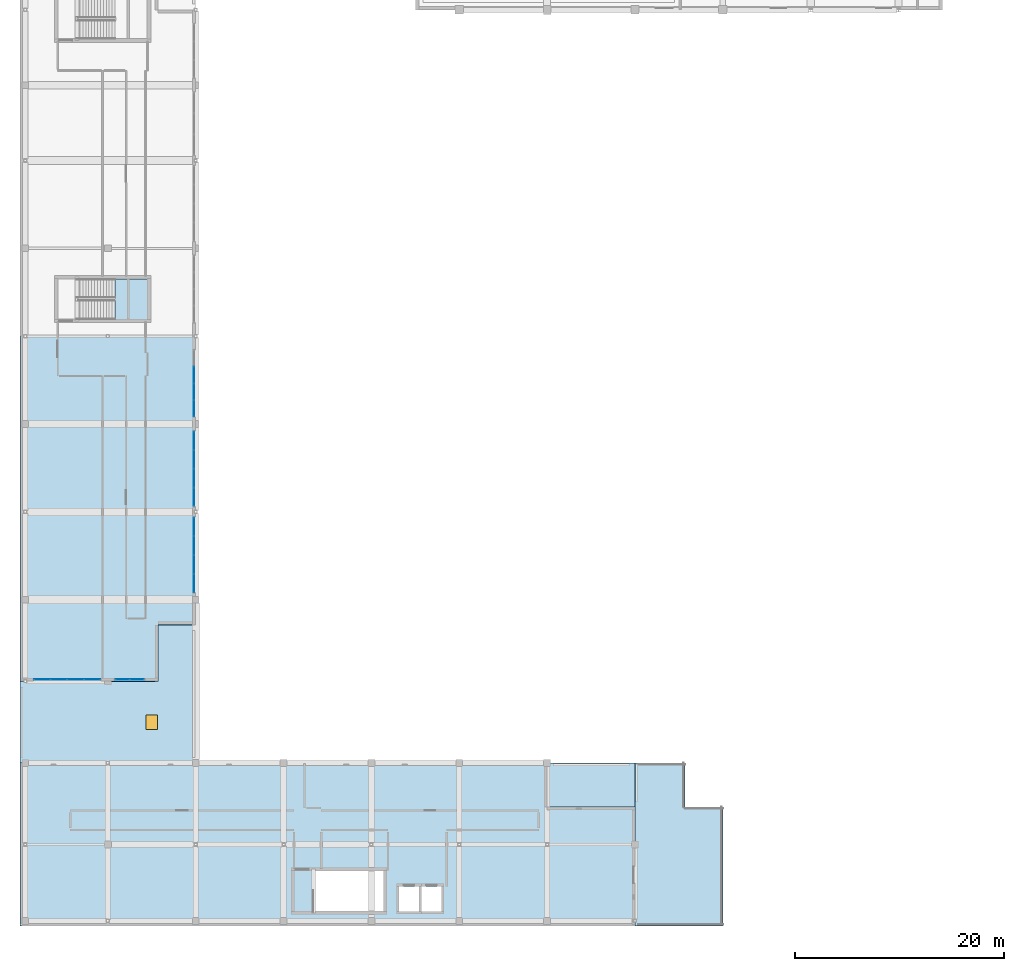
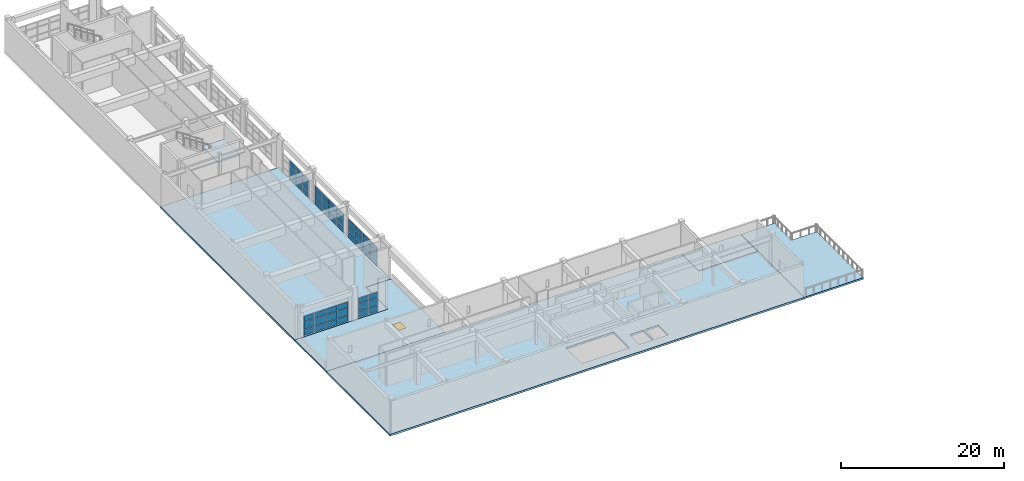
# One storey, part 55 of 78: 51 plates, 6 slabs, 1 window, 1 opening, 6 elements without a shape of their own.
"""IFC4 building model written with IfcOpenShell, lengths in metres."""

from ifc_helpers import new_model, si_unit, direction, frame, origin, origin_2d, place, context, subcontext, project, spatial, polyline, rectangle, outline, extrude, material, layer, layer_set, type_object, element, fill, aggregate, save


model = new_model("IFC4")

# Units and contexts
model_context = context("Model", 3, precision=1e-05, world=origin(), true_north=direction((0.0, 1.0)))
body_context = subcontext(model_context, "Body", "Model", "MODEL_VIEW")
ifc_project = project(units=[si_unit("LENGTHUNIT", "METRE"), si_unit("AREAUNIT", "SQUARE_METRE"), si_unit("VOLUMEUNIT", "CUBIC_METRE"), si_unit("PLANEANGLEUNIT", "RADIAN"), si_unit("MASSUNIT", "GRAM", prefix="KILO")], contexts=[model_context])

# Site, building, storey
site_placement = place(None, origin())
site = spatial("IfcSite", under=ifc_project, at=site_placement, CompositionType="ELEMENT")
building_placement = place(site_placement, origin())
building = spatial("IfcBuilding", under=site, at=building_placement, Name="Quendrovan Civic Courthouse", CompositionType="ELEMENT")
storey_placement = place(building_placement, frame((0.0, 0.0, 20.39990234375)))
storey = spatial("IfcBuildingStorey", under=building, at=storey_placement, Name="L05", CompositionType="ELEMENT", Elevation=20.39990234375)

# Curtain wall, plates
ifc_material_1 = material(Name="Bronze anodised aluminium and low-E glass", Category="aluminium")
ifc_layer_1 = layer(ifc_material_1, 0.179931640625, Name="Bronze anodised aluminium and low-E glass")
ifc_layer_set_1 = layer_set([ifc_layer_1], Name="Bronze anodised aluminium and low-E glass")
curtain_wall_type_1 = type_object("IfcCurtainWallType", Name="CW-U28x30", PredefinedType="USERDEFINED", material=ifc_layer_set_1)
curtain_wall_1_placement = place(storey_placement, origin())
curtain_wall_1 = element("IfcCurtainWall", 1, at=curtain_wall_1_placement, inside=storey, type_object=curtain_wall_type_1, Name="L05 Unitised Hurricane Curtain Wall CW-188", ObjectType="UNITISED CURTAIN WALL", PredefinedType="USERDEFINED")
ifc_material_2 = material(Name="Laminated hurricane-impact low-E glass", Category="glass")
ifc_layer_2 = layer(ifc_material_2, 0.028076171875, Name="Laminated hurricane-impact low-E glass")
ifc_layer_set_2 = layer_set([ifc_layer_2], Name="Laminated hurricane-impact low-E glass")
plate_type_1 = type_object("IfcPlateType", Name="CW-PNL-1", PredefinedType="CURTAIN_PANEL", material=ifc_layer_set_2)
plate_1_placement = place(storey_placement, frame((11.17626953125, 23.56494140625, 0.0703125), z_axis=(0.0, 0.0, 1.0), x_axis=(-1.0, 0.0, 0.0)))
plate_1 = element("IfcPlate", 2, at=plate_1_placement, type_object=plate_type_1, Name="CW-188 panel 1.1", PredefinedType="CURTAIN_PANEL", context=body_context, shape_type="SweptSolid", body=[
    extrude(rectangle(XDim=1.3076171875, YDim=0.028076171875, at=origin_2d()), origin(), (0.0, 0.0, 1.0), 0.844970703125),
])
plate_2_placement = place(storey_placement, frame((11.17626953125, 23.56494140625, 0.985107421875), z_axis=(0.0, 0.0, 1.0), x_axis=(-1.0, 0.0, 0.0)))
plate_2 = element("IfcPlate", 3, at=plate_2_placement, type_object=plate_type_1, Name="CW-188 panel 1.2", PredefinedType="CURTAIN_PANEL", context=body_context, shape_type="SweptSolid", body=[
    extrude(rectangle(XDim=1.3076171875, YDim=0.028076171875, at=origin_2d()), origin(), (0.0, 0.0, 1.0), 1.1298828125),
])
plate_3_placement = place(storey_placement, frame((11.17626953125, 23.56494140625, 2.18505859375), z_axis=(0.0, 0.0, 1.0), x_axis=(-1.0, 0.0, 0.0)))
plate_3 = element("IfcPlate", 4, at=plate_3_placement, type_object=plate_type_1, Name="CW-188 panel 1.3", PredefinedType="CURTAIN_PANEL", context=body_context, shape_type="SweptSolid", body=[
    extrude(rectangle(XDim=1.3076171875, YDim=0.028076171875, at=origin_2d()), origin(), (0.0, 0.0, 1.0), 0.77490234375),
])
plate_4_placement = place(storey_placement, frame((9.798828125, 23.56494140625, 0.0703125), z_axis=(0.0, 0.0, 1.0), x_axis=(-1.0, 0.0, 0.0)))
plate_4 = element("IfcPlate", 5, at=plate_4_placement, type_object=plate_type_1, Name="CW-188 panel 2.1", PredefinedType="CURTAIN_PANEL", context=body_context, shape_type="SweptSolid", body=[
    extrude(rectangle(XDim=1.3076171875, YDim=0.028076171875, at=origin_2d()), origin(), (0.0, 0.0, 1.0), 0.844970703125),
])
plate_5_placement = place(storey_placement, frame((9.798828125, 23.56494140625, 0.985107421875), z_axis=(0.0, 0.0, 1.0), x_axis=(-1.0, 0.0, 0.0)))
plate_5 = element("IfcPlate", 6, at=plate_5_placement, type_object=plate_type_1, Name="CW-188 panel 2.2", PredefinedType="CURTAIN_PANEL", context=body_context, shape_type="SweptSolid", body=[
    extrude(rectangle(XDim=1.3076171875, YDim=0.028076171875, at=origin_2d()), origin(), (0.0, 0.0, 1.0), 1.1298828125),
])
plate_6_placement = place(storey_placement, frame((9.798828125, 23.56494140625, 2.18505859375), z_axis=(0.0, 0.0, 1.0), x_axis=(-1.0, 0.0, 0.0)))
plate_6 = element("IfcPlate", 7, at=plate_6_placement, type_object=plate_type_1, Name="CW-188 panel 2.3", PredefinedType="CURTAIN_PANEL", context=body_context, shape_type="SweptSolid", body=[
    extrude(rectangle(XDim=1.3076171875, YDim=0.028076171875, at=origin_2d()), origin(), (0.0, 0.0, 1.0), 0.77490234375),
])
aggregate(curtain_wall_1, [plate_1, plate_2, plate_3, plate_4, plate_5, plate_6])

ifc_layer_3 = layer(ifc_material_1, 0.179931640625, Name="Bronze anodised aluminium and low-E glass")
ifc_layer_set_3 = layer_set([ifc_layer_3], Name="Bronze anodised aluminium and low-E glass")
curtain_wall_type_2 = type_object("IfcCurtainWallType", Name="CW-U64x30", PredefinedType="USERDEFINED", material=ifc_layer_set_3)
curtain_wall_2_placement = place(storey_placement, origin())
curtain_wall_2 = element("IfcCurtainWall", 8, at=curtain_wall_2_placement, inside=storey, type_object=curtain_wall_type_2, Name="L05 Unitised Hurricane Curtain Wall CW-185", ObjectType="UNITISED CURTAIN WALL", PredefinedType="USERDEFINED")
ifc_layer_4 = layer(ifc_material_2, 0.031982421875, Name="Laminated hurricane-impact low-E glass")
ifc_layer_set_4 = layer_set([ifc_layer_4], Name="Laminated hurricane-impact low-E glass")
plate_type_2 = type_object("IfcPlateType", Name="CW-PNL-2", PredefinedType="CURTAIN_PANEL", material=ifc_layer_set_4)
plate_7_placement = place(storey_placement, frame((16.635009765625, 52.690673828125, 0.065185546875), z_axis=(0.0, 0.0, 1.0), x_axis=(0.0, -1.0, 0.0)))
plate_7 = element("IfcPlate", 9, at=plate_7_placement, type_object=plate_type_2, Name="CW-185 panel 2.1", PredefinedType="CURTAIN_PANEL", context=body_context, shape_type="SweptSolid", body=[
    extrude(rectangle(XDim=1.541259765625, YDim=0.031982421875, at=origin_2d()), origin(), (0.0, 0.0, 1.0), 0.8525390625),
])
plate_8_placement = place(storey_placement, frame((16.635009765625, 52.690673828125, 0.982421875), z_axis=(0.0, 0.0, 1.0), x_axis=(0.0, -1.0, 0.0)))
plate_8 = element("IfcPlate", 10, at=plate_8_placement, type_object=plate_type_2, Name="CW-185 panel 2.2", PredefinedType="CURTAIN_PANEL", context=body_context, shape_type="SweptSolid", body=[
    extrude(rectangle(XDim=1.541259765625, YDim=0.031982421875, at=origin_2d()), origin(), (0.0, 0.0, 1.0), 1.135009765625),
])
plate_9_placement = place(storey_placement, frame((16.635009765625, 52.690673828125, 2.1826171875), z_axis=(0.0, 0.0, 1.0), x_axis=(0.0, -1.0, 0.0)))
plate_9 = element("IfcPlate", 11, at=plate_9_placement, type_object=plate_type_2, Name="CW-185 panel 2.3", PredefinedType="CURTAIN_PANEL", context=body_context, shape_type="SweptSolid", body=[
    extrude(rectangle(XDim=1.541259765625, YDim=0.031982421875, at=origin_2d()), origin(), (0.0, 0.0, 1.0), 0.742431640625),
])
plate_10_placement = place(storey_placement, frame((16.635009765625, 51.08447265625, 0.065185546875), z_axis=(0.0, 0.0, 1.0), x_axis=(0.0, -1.0, 0.0)))
plate_10 = element("IfcPlate", 12, at=plate_10_placement, type_object=plate_type_2, Name="CW-185 panel 3.1", PredefinedType="CURTAIN_PANEL", context=body_context, shape_type="SweptSolid", body=[
    extrude(rectangle(XDim=1.541259765625, YDim=0.031982421875, at=origin_2d()), origin(), (0.0, 0.0, 1.0), 0.8525390625),
])
plate_11_placement = place(storey_placement, frame((16.635009765625, 51.08447265625, 0.982421875), z_axis=(0.0, 0.0, 1.0), x_axis=(0.0, -1.0, 0.0)))
plate_11 = element("IfcPlate", 13, at=plate_11_placement, type_object=plate_type_2, Name="CW-185 panel 3.2", PredefinedType="CURTAIN_PANEL", context=body_context, shape_type="SweptSolid", body=[
    extrude(rectangle(XDim=1.541259765625, YDim=0.031982421875, at=origin_2d()), origin(), (0.0, 0.0, 1.0), 1.135009765625),
])
plate_12_placement = place(storey_placement, frame((16.635009765625, 51.08447265625, 2.1826171875), z_axis=(0.0, 0.0, 1.0), x_axis=(0.0, -1.0, 0.0)))
plate_12 = element("IfcPlate", 14, at=plate_12_placement, type_object=plate_type_2, Name="CW-185 panel 3.3", PredefinedType="CURTAIN_PANEL", context=body_context, shape_type="SweptSolid", body=[
    extrude(rectangle(XDim=1.541259765625, YDim=0.031982421875, at=origin_2d()), origin(), (0.0, 0.0, 1.0), 0.742431640625),
])
plate_13_placement = place(storey_placement, frame((16.635009765625, 49.494384765625, 0.065185546875), z_axis=(0.0, 0.0, 1.0), x_axis=(0.0, -1.0, 0.0)))
plate_13 = element("IfcPlate", 15, at=plate_13_placement, type_object=plate_type_2, Name="CW-185 panel 4.1", PredefinedType="CURTAIN_PANEL", context=body_context, shape_type="SweptSolid", body=[
    extrude(rectangle(XDim=1.5087890625, YDim=0.031982421875, at=origin_2d()), origin(), (0.0, 0.0, 1.0), 0.8525390625),
])
plate_14_placement = place(storey_placement, frame((16.635009765625, 49.494384765625, 0.982421875), z_axis=(0.0, 0.0, 1.0), x_axis=(0.0, -1.0, 0.0)))
plate_14 = element("IfcPlate", 16, at=plate_14_placement, type_object=plate_type_2, Name="CW-185 panel 4.2", PredefinedType="CURTAIN_PANEL", context=body_context, shape_type="SweptSolid", body=[
    extrude(rectangle(XDim=1.5087890625, YDim=0.031982421875, at=origin_2d()), origin(), (0.0, 0.0, 1.0), 1.135009765625),
])
plate_15_placement = place(storey_placement, frame((16.635009765625, 49.494384765625, 2.1826171875), z_axis=(0.0, 0.0, 1.0), x_axis=(0.0, -1.0, 0.0)))
plate_15 = element("IfcPlate", 17, at=plate_15_placement, type_object=plate_type_2, Name="CW-185 panel 4.3", PredefinedType="CURTAIN_PANEL", context=body_context, shape_type="SweptSolid", body=[
    extrude(rectangle(XDim=1.5087890625, YDim=0.031982421875, at=origin_2d()), origin(), (0.0, 0.0, 1.0), 0.742431640625),
])
aggregate(curtain_wall_2, [plate_7, plate_8, plate_9, plate_10, plate_11, plate_12, plate_13, plate_14, plate_15])

curtain_wall_3_placement = place(storey_placement, origin())
curtain_wall_3 = element("IfcCurtainWall", 18, at=curtain_wall_3_placement, inside=storey, type_object=curtain_wall_type_2, Name="L05 Unitised Hurricane Curtain Wall CW-189", ObjectType="UNITISED CURTAIN WALL", PredefinedType="USERDEFINED")
plate_16_placement = place(storey_placement, frame((6.905517578125, 23.56494140625, 0.065185546875), z_axis=(0.0, 0.0, 1.0), x_axis=(-1.0, 0.0, 0.0)))
plate_16 = element("IfcPlate", 19, at=plate_16_placement, type_object=plate_type_2, Name="CW-189 panel 1.1", PredefinedType="CURTAIN_PANEL", context=body_context, shape_type="SweptSolid", body=[
    extrude(rectangle(XDim=1.5087890625, YDim=0.031982421875, at=origin_2d()), origin(), (0.0, 0.0, 1.0), 0.8525390625),
])
plate_17_placement = place(storey_placement, frame((6.905517578125, 23.56494140625, 0.982421875), z_axis=(0.0, 0.0, 1.0), x_axis=(-1.0, 0.0, 0.0)))
plate_17 = element("IfcPlate", 20, at=plate_17_placement, type_object=plate_type_2, Name="CW-189 panel 1.2", PredefinedType="CURTAIN_PANEL", context=body_context, shape_type="SweptSolid", body=[
    extrude(rectangle(XDim=1.5087890625, YDim=0.031982421875, at=origin_2d()), origin(), (0.0, 0.0, 1.0), 1.135009765625),
])
plate_18_placement = place(storey_placement, frame((6.905517578125, 23.56494140625, 2.1826171875), z_axis=(0.0, 0.0, 1.0), x_axis=(-1.0, 0.0, 0.0)))
plate_18 = element("IfcPlate", 21, at=plate_18_placement, type_object=plate_type_2, Name="CW-189 panel 1.3", PredefinedType="CURTAIN_PANEL", context=body_context, shape_type="SweptSolid", body=[
    extrude(rectangle(XDim=1.5087890625, YDim=0.031982421875, at=origin_2d()), origin(), (0.0, 0.0, 1.0), 0.782470703125),
])
plate_19_placement = place(storey_placement, frame((5.315673828125, 23.56494140625, 0.065185546875), z_axis=(0.0, 0.0, 1.0), x_axis=(-1.0, 0.0, 0.0)))
plate_19 = element("IfcPlate", 22, at=plate_19_placement, type_object=plate_type_2, Name="CW-189 panel 2.1", PredefinedType="CURTAIN_PANEL", context=body_context, shape_type="SweptSolid", body=[
    extrude(rectangle(XDim=1.541259765625, YDim=0.031982421875, at=origin_2d()), origin(), (0.0, 0.0, 1.0), 0.8525390625),
])
plate_20_placement = place(storey_placement, frame((5.315673828125, 23.56494140625, 0.982421875), z_axis=(0.0, 0.0, 1.0), x_axis=(-1.0, 0.0, 0.0)))
plate_20 = element("IfcPlate", 23, at=plate_20_placement, type_object=plate_type_2, Name="CW-189 panel 2.2", PredefinedType="CURTAIN_PANEL", context=body_context, shape_type="SweptSolid", body=[
    extrude(rectangle(XDim=1.541259765625, YDim=0.031982421875, at=origin_2d()), origin(), (0.0, 0.0, 1.0), 1.135009765625),
])
plate_21_placement = place(storey_placement, frame((5.315673828125, 23.56494140625, 2.1826171875), z_axis=(0.0, 0.0, 1.0), x_axis=(-1.0, 0.0, 0.0)))
plate_21 = element("IfcPlate", 24, at=plate_21_placement, type_object=plate_type_2, Name="CW-189 panel 2.3", PredefinedType="CURTAIN_PANEL", context=body_context, shape_type="SweptSolid", body=[
    extrude(rectangle(XDim=1.541259765625, YDim=0.031982421875, at=origin_2d()), origin(), (0.0, 0.0, 1.0), 0.782470703125),
])
plate_22_placement = place(storey_placement, frame((3.70947265625, 23.56494140625, 0.065185546875), z_axis=(0.0, 0.0, 1.0), x_axis=(-1.0, 0.0, 0.0)))
plate_22 = element("IfcPlate", 25, at=plate_22_placement, type_object=plate_type_2, Name="CW-189 panel 3.1", PredefinedType="CURTAIN_PANEL", context=body_context, shape_type="SweptSolid", body=[
    extrude(rectangle(XDim=1.541259765625, YDim=0.031982421875, at=origin_2d()), origin(), (0.0, 0.0, 1.0), 0.8525390625),
])
plate_23_placement = place(storey_placement, frame((3.70947265625, 23.56494140625, 0.982421875), z_axis=(0.0, 0.0, 1.0), x_axis=(-1.0, 0.0, 0.0)))
plate_23 = element("IfcPlate", 26, at=plate_23_placement, type_object=plate_type_2, Name="CW-189 panel 3.2", PredefinedType="CURTAIN_PANEL", context=body_context, shape_type="SweptSolid", body=[
    extrude(rectangle(XDim=1.541259765625, YDim=0.031982421875, at=origin_2d()), origin(), (0.0, 0.0, 1.0), 1.135009765625),
])
plate_24_placement = place(storey_placement, frame((3.70947265625, 23.56494140625, 2.1826171875), z_axis=(0.0, 0.0, 1.0), x_axis=(-1.0, 0.0, 0.0)))
plate_24 = element("IfcPlate", 27, at=plate_24_placement, type_object=plate_type_2, Name="CW-189 panel 3.3", PredefinedType="CURTAIN_PANEL", context=body_context, shape_type="SweptSolid", body=[
    extrude(rectangle(XDim=1.541259765625, YDim=0.031982421875, at=origin_2d()), origin(), (0.0, 0.0, 1.0), 0.782470703125),
])
plate_25_placement = place(storey_placement, frame((2.119384765625, 23.56494140625, 0.065185546875), z_axis=(0.0, 0.0, 1.0), x_axis=(-1.0, 0.0, 0.0)))
plate_25 = element("IfcPlate", 28, at=plate_25_placement, type_object=plate_type_2, Name="CW-189 panel 4.1", PredefinedType="CURTAIN_PANEL", context=body_context, shape_type="SweptSolid", body=[
    extrude(rectangle(XDim=1.5087890625, YDim=0.031982421875, at=origin_2d()), origin(), (0.0, 0.0, 1.0), 0.8525390625),
])
plate_26_placement = place(storey_placement, frame((2.119384765625, 23.56494140625, 0.982421875), z_axis=(0.0, 0.0, 1.0), x_axis=(-1.0, 0.0, 0.0)))
plate_26 = element("IfcPlate", 29, at=plate_26_placement, type_object=plate_type_2, Name="CW-189 panel 4.2", PredefinedType="CURTAIN_PANEL", context=body_context, shape_type="SweptSolid", body=[
    extrude(rectangle(XDim=1.5087890625, YDim=0.031982421875, at=origin_2d()), origin(), (0.0, 0.0, 1.0), 1.135009765625),
])
plate_27_placement = place(storey_placement, frame((2.119384765625, 23.56494140625, 2.1826171875), z_axis=(0.0, 0.0, 1.0), x_axis=(-1.0, 0.0, 0.0)))
plate_27 = element("IfcPlate", 30, at=plate_27_placement, type_object=plate_type_2, Name="CW-189 panel 4.3", PredefinedType="CURTAIN_PANEL", context=body_context, shape_type="SweptSolid", body=[
    extrude(rectangle(XDim=1.5087890625, YDim=0.031982421875, at=origin_2d()), origin(), (0.0, 0.0, 1.0), 0.782470703125),
])
aggregate(curtain_wall_3, [plate_16, plate_17, plate_18, plate_19, plate_20, plate_21, plate_22, plate_23, plate_24, plate_25, plate_26, plate_27])

ifc_layer_5 = layer(ifc_material_1, 0.179931640625, Name="Bronze anodised aluminium and low-E glass")
ifc_layer_set_5 = layer_set([ifc_layer_5], Name="Bronze anodised aluminium and low-E glass")
curtain_wall_type_3 = type_object("IfcCurtainWallType", Name="CW-U72x30", PredefinedType="USERDEFINED", material=ifc_layer_set_5)
curtain_wall_4_placement = place(storey_placement, origin())
curtain_wall_4 = element("IfcCurtainWall", 31, at=curtain_wall_4_placement, inside=storey, type_object=curtain_wall_type_3, Name="L05 Unitised Hurricane Curtain Wall CW-186", ObjectType="UNITISED CURTAIN WALL", PredefinedType="USERDEFINED")
ifc_layer_6 = layer(ifc_material_2, 0.035888671875, Name="Laminated hurricane-impact low-E glass")
ifc_layer_set_6 = layer_set([ifc_layer_6], Name="Laminated hurricane-impact low-E glass")
plate_type_3 = type_object("IfcPlateType", Name="CW-PNL-3", PredefinedType="CURTAIN_PANEL", material=ifc_layer_set_6)
plate_28_placement = place(storey_placement, frame((16.635009765625, 46.404296875, 0.0703125), z_axis=(0.0, 0.0, 1.0), x_axis=(0.0, -1.0, 0.0)))
plate_28 = element("IfcPlate", 32, at=plate_28_placement, type_object=plate_type_3, Name="CW-186 panel 1.1", PredefinedType="CURTAIN_PANEL", context=body_context, shape_type="SweptSolid", body=[
    extrude(rectangle(XDim=1.701171875, YDim=0.035888671875, at=origin_2d()), origin(), (0.0, 0.0, 1.0), 0.844970703125),
])
plate_29_placement = place(storey_placement, frame((16.635009765625, 46.404296875, 0.985107421875), z_axis=(0.0, 0.0, 1.0), x_axis=(0.0, -1.0, 0.0)))
plate_29 = element("IfcPlate", 33, at=plate_29_placement, type_object=plate_type_3, Name="CW-186 panel 1.2", PredefinedType="CURTAIN_PANEL", context=body_context, shape_type="SweptSolid", body=[
    extrude(rectangle(XDim=1.701171875, YDim=0.035888671875, at=origin_2d()), origin(), (0.0, 0.0, 1.0), 1.1298828125),
])
plate_30_placement = place(storey_placement, frame((16.635009765625, 46.404296875, 2.18505859375), z_axis=(0.0, 0.0, 1.0), x_axis=(0.0, -1.0, 0.0)))
plate_30 = element("IfcPlate", 34, at=plate_30_placement, type_object=plate_type_3, Name="CW-186 panel 1.3", PredefinedType="CURTAIN_PANEL", context=body_context, shape_type="SweptSolid", body=[
    extrude(rectangle(XDim=1.701171875, YDim=0.035888671875, at=origin_2d()), origin(), (0.0, 0.0, 1.0), 0.735107421875),
])
plate_31_placement = place(storey_placement, frame((16.635009765625, 44.61572265625, 0.0703125), z_axis=(0.0, 0.0, 1.0), x_axis=(0.0, -1.0, 0.0)))
plate_31 = element("IfcPlate", 35, at=plate_31_placement, type_object=plate_type_3, Name="CW-186 panel 2.1", PredefinedType="CURTAIN_PANEL", context=body_context, shape_type="SweptSolid", body=[
    extrude(rectangle(XDim=1.736328125, YDim=0.035888671875, at=origin_2d()), origin(), (0.0, 0.0, 1.0), 0.844970703125),
])
plate_32_placement = place(storey_placement, frame((16.635009765625, 44.61572265625, 0.985107421875), z_axis=(0.0, 0.0, 1.0), x_axis=(0.0, -1.0, 0.0)))
plate_32 = element("IfcPlate", 36, at=plate_32_placement, type_object=plate_type_3, Name="CW-186 panel 2.2", PredefinedType="CURTAIN_PANEL", context=body_context, shape_type="SweptSolid", body=[
    extrude(rectangle(XDim=1.736328125, YDim=0.035888671875, at=origin_2d()), origin(), (0.0, 0.0, 1.0), 1.1298828125),
])
plate_33_placement = place(storey_placement, frame((16.635009765625, 44.61572265625, 2.18505859375), z_axis=(0.0, 0.0, 1.0), x_axis=(0.0, -1.0, 0.0)))
plate_33 = element("IfcPlate", 37, at=plate_33_placement, type_object=plate_type_3, Name="CW-186 panel 2.3", PredefinedType="CURTAIN_PANEL", context=body_context, shape_type="SweptSolid", body=[
    extrude(rectangle(XDim=1.736328125, YDim=0.035888671875, at=origin_2d()), origin(), (0.0, 0.0, 1.0), 0.735107421875),
])
plate_34_placement = place(storey_placement, frame((16.635009765625, 42.809326171875, 0.0703125), z_axis=(0.0, 0.0, 1.0), x_axis=(0.0, -1.0, 0.0)))
plate_34 = element("IfcPlate", 38, at=plate_34_placement, type_object=plate_type_3, Name="CW-186 panel 3.1", PredefinedType="CURTAIN_PANEL", context=body_context, shape_type="SweptSolid", body=[
    extrude(rectangle(XDim=1.736328125, YDim=0.035888671875, at=origin_2d()), origin(), (0.0, 0.0, 1.0), 0.844970703125),
])
plate_35_placement = place(storey_placement, frame((16.635009765625, 42.809326171875, 0.985107421875), z_axis=(0.0, 0.0, 1.0), x_axis=(0.0, -1.0, 0.0)))
plate_35 = element("IfcPlate", 39, at=plate_35_placement, type_object=plate_type_3, Name="CW-186 panel 3.2", PredefinedType="CURTAIN_PANEL", context=body_context, shape_type="SweptSolid", body=[
    extrude(rectangle(XDim=1.736328125, YDim=0.035888671875, at=origin_2d()), origin(), (0.0, 0.0, 1.0), 1.1298828125),
])
plate_36_placement = place(storey_placement, frame((16.635009765625, 42.809326171875, 2.18505859375), z_axis=(0.0, 0.0, 1.0), x_axis=(0.0, -1.0, 0.0)))
plate_36 = element("IfcPlate", 40, at=plate_36_placement, type_object=plate_type_3, Name="CW-186 panel 3.3", PredefinedType="CURTAIN_PANEL", context=body_context, shape_type="SweptSolid", body=[
    extrude(rectangle(XDim=1.736328125, YDim=0.035888671875, at=origin_2d()), origin(), (0.0, 0.0, 1.0), 0.735107421875),
])
plate_37_placement = place(storey_placement, frame((16.635009765625, 41.0205078125, 0.0703125), z_axis=(0.0, 0.0, 1.0), x_axis=(0.0, -1.0, 0.0)))
plate_37 = element("IfcPlate", 41, at=plate_37_placement, type_object=plate_type_3, Name="CW-186 panel 4.1", PredefinedType="CURTAIN_PANEL", context=body_context, shape_type="SweptSolid", body=[
    extrude(rectangle(XDim=1.701171875, YDim=0.035888671875, at=origin_2d()), origin(), (0.0, 0.0, 1.0), 0.844970703125),
])
plate_38_placement = place(storey_placement, frame((16.635009765625, 41.0205078125, 0.985107421875), z_axis=(0.0, 0.0, 1.0), x_axis=(0.0, -1.0, 0.0)))
plate_38 = element("IfcPlate", 42, at=plate_38_placement, type_object=plate_type_3, Name="CW-186 panel 4.2", PredefinedType="CURTAIN_PANEL", context=body_context, shape_type="SweptSolid", body=[
    extrude(rectangle(XDim=1.701171875, YDim=0.035888671875, at=origin_2d()), origin(), (0.0, 0.0, 1.0), 1.1298828125),
])
plate_39_placement = place(storey_placement, frame((16.635009765625, 41.0205078125, 2.18505859375), z_axis=(0.0, 0.0, 1.0), x_axis=(0.0, -1.0, 0.0)))
plate_39 = element("IfcPlate", 43, at=plate_39_placement, type_object=plate_type_3, Name="CW-186 panel 4.3", PredefinedType="CURTAIN_PANEL", context=body_context, shape_type="SweptSolid", body=[
    extrude(rectangle(XDim=1.701171875, YDim=0.035888671875, at=origin_2d()), origin(), (0.0, 0.0, 1.0), 0.735107421875),
])
aggregate(curtain_wall_4, [plate_28, plate_29, plate_30, plate_31, plate_32, plate_33, plate_34, plate_35, plate_36, plate_37, plate_38, plate_39])

curtain_wall_5_placement = place(storey_placement, origin())
curtain_wall_5 = element("IfcCurtainWall", 44, at=curtain_wall_5_placement, inside=storey, type_object=curtain_wall_type_3, Name="L05 Unitised Hurricane Curtain Wall CW-187", ObjectType="UNITISED CURTAIN WALL", PredefinedType="USERDEFINED")
ifc_layer_7 = layer(ifc_material_2, 0.0419921875, Name="Laminated hurricane-impact low-E glass")
ifc_layer_set_7 = layer_set([ifc_layer_7], Name="Laminated hurricane-impact low-E glass")
plate_type_4 = type_object("IfcPlateType", Name="CW-PNL-4", PredefinedType="CURTAIN_PANEL", material=ifc_layer_set_7)
plate_40_placement = place(storey_placement, frame((16.635009765625, 38.1806640625, 0.065185546875), z_axis=(0.0, 0.0, 1.0), x_axis=(0.0, -1.0, 0.0)))
plate_40 = element("IfcPlate", 45, at=plate_40_placement, type_object=plate_type_4, Name="CW-187 panel 1.1", PredefinedType="CURTAIN_PANEL", context=body_context, shape_type="SweptSolid", body=[
    extrude(rectangle(XDim=1.708740234375, YDim=0.0419921875, at=origin_2d()), origin(), (0.0, 0.0, 1.0), 0.8525390625),
])
plate_41_placement = place(storey_placement, frame((16.635009765625, 38.1806640625, 0.982421875), z_axis=(0.0, 0.0, 1.0), x_axis=(0.0, -1.0, 0.0)))
plate_41 = element("IfcPlate", 46, at=plate_41_placement, type_object=plate_type_4, Name="CW-187 panel 1.2", PredefinedType="CURTAIN_PANEL", context=body_context, shape_type="SweptSolid", body=[
    extrude(rectangle(XDim=1.708740234375, YDim=0.0419921875, at=origin_2d()), origin(), (0.0, 0.0, 1.0), 1.135009765625),
])
plate_42_placement = place(storey_placement, frame((16.635009765625, 38.1806640625, 2.1826171875), z_axis=(0.0, 0.0, 1.0), x_axis=(0.0, -1.0, 0.0)))
plate_42 = element("IfcPlate", 47, at=plate_42_placement, type_object=plate_type_4, Name="CW-187 panel 1.3", PredefinedType="CURTAIN_PANEL", context=body_context, shape_type="SweptSolid", body=[
    extrude(rectangle(XDim=1.708740234375, YDim=0.0419921875, at=origin_2d()), origin(), (0.0, 0.0, 1.0), 0.742431640625),
])
plate_43_placement = place(storey_placement, frame((16.635009765625, 36.390625, 0.065185546875), z_axis=(0.0, 0.0, 1.0), x_axis=(0.0, -1.0, 0.0)))
plate_43 = element("IfcPlate", 48, at=plate_43_placement, type_object=plate_type_4, Name="CW-187 panel 2.1", PredefinedType="CURTAIN_PANEL", context=body_context, shape_type="SweptSolid", body=[
    extrude(rectangle(XDim=1.7412109375, YDim=0.0419921875, at=origin_2d()), origin(), (0.0, 0.0, 1.0), 0.8525390625),
])
plate_44_placement = place(storey_placement, frame((16.635009765625, 36.390625, 0.982421875), z_axis=(0.0, 0.0, 1.0), x_axis=(0.0, -1.0, 0.0)))
plate_44 = element("IfcPlate", 49, at=plate_44_placement, type_object=plate_type_4, Name="CW-187 panel 2.2", PredefinedType="CURTAIN_PANEL", context=body_context, shape_type="SweptSolid", body=[
    extrude(rectangle(XDim=1.7412109375, YDim=0.0419921875, at=origin_2d()), origin(), (0.0, 0.0, 1.0), 1.135009765625),
])
plate_45_placement = place(storey_placement, frame((16.635009765625, 36.390625, 2.1826171875), z_axis=(0.0, 0.0, 1.0), x_axis=(0.0, -1.0, 0.0)))
plate_45 = element("IfcPlate", 50, at=plate_45_placement, type_object=plate_type_4, Name="CW-187 panel 2.3", PredefinedType="CURTAIN_PANEL", context=body_context, shape_type="SweptSolid", body=[
    extrude(rectangle(XDim=1.7412109375, YDim=0.0419921875, at=origin_2d()), origin(), (0.0, 0.0, 1.0), 0.742431640625),
])
plate_46_placement = place(storey_placement, frame((16.635009765625, 34.58447265625, 0.065185546875), z_axis=(0.0, 0.0, 1.0), x_axis=(0.0, -1.0, 0.0)))
plate_46 = element("IfcPlate", 51, at=plate_46_placement, type_object=plate_type_4, Name="CW-187 panel 3.1", PredefinedType="CURTAIN_PANEL", context=body_context, shape_type="SweptSolid", body=[
    extrude(rectangle(XDim=1.7412109375, YDim=0.0419921875, at=origin_2d()), origin(), (0.0, 0.0, 1.0), 0.8525390625),
])
plate_47_placement = place(storey_placement, frame((16.635009765625, 34.58447265625, 0.982421875), z_axis=(0.0, 0.0, 1.0), x_axis=(0.0, -1.0, 0.0)))
plate_47 = element("IfcPlate", 52, at=plate_47_placement, type_object=plate_type_4, Name="CW-187 panel 3.2", PredefinedType="CURTAIN_PANEL", context=body_context, shape_type="SweptSolid", body=[
    extrude(rectangle(XDim=1.7412109375, YDim=0.0419921875, at=origin_2d()), origin(), (0.0, 0.0, 1.0), 1.135009765625),
])
plate_48_placement = place(storey_placement, frame((16.635009765625, 34.58447265625, 2.1826171875), z_axis=(0.0, 0.0, 1.0), x_axis=(0.0, -1.0, 0.0)))
plate_48 = element("IfcPlate", 53, at=plate_48_placement, type_object=plate_type_4, Name="CW-187 panel 3.3", PredefinedType="CURTAIN_PANEL", context=body_context, shape_type="SweptSolid", body=[
    extrude(rectangle(XDim=1.7412109375, YDim=0.0419921875, at=origin_2d()), origin(), (0.0, 0.0, 1.0), 0.742431640625),
])
plate_49_placement = place(storey_placement, frame((16.635009765625, 32.79443359375, 0.065185546875), z_axis=(0.0, 0.0, 1.0), x_axis=(0.0, -1.0, 0.0)))
plate_49 = element("IfcPlate", 54, at=plate_49_placement, type_object=plate_type_4, Name="CW-187 panel 4.1", PredefinedType="CURTAIN_PANEL", context=body_context, shape_type="SweptSolid", body=[
    extrude(rectangle(XDim=1.708740234375, YDim=0.0419921875, at=origin_2d()), origin(), (0.0, 0.0, 1.0), 0.8525390625),
])
plate_50_placement = place(storey_placement, frame((16.635009765625, 32.79443359375, 0.982421875), z_axis=(0.0, 0.0, 1.0), x_axis=(0.0, -1.0, 0.0)))
plate_50 = element("IfcPlate", 55, at=plate_50_placement, type_object=plate_type_4, Name="CW-187 panel 4.2", PredefinedType="CURTAIN_PANEL", context=body_context, shape_type="SweptSolid", body=[
    extrude(rectangle(XDim=1.708740234375, YDim=0.0419921875, at=origin_2d()), origin(), (0.0, 0.0, 1.0), 1.135009765625),
])
plate_51_placement = place(storey_placement, frame((16.635009765625, 32.79443359375, 2.1826171875), z_axis=(0.0, 0.0, 1.0), x_axis=(0.0, -1.0, 0.0)))
plate_51 = element("IfcPlate", 56, at=plate_51_placement, type_object=plate_type_4, Name="CW-187 panel 4.3", PredefinedType="CURTAIN_PANEL", context=body_context, shape_type="SweptSolid", body=[
    extrude(rectangle(XDim=1.708740234375, YDim=0.0419921875, at=origin_2d()), origin(), (0.0, 0.0, 1.0), 0.742431640625),
])
aggregate(curtain_wall_5, [plate_40, plate_41, plate_42, plate_43, plate_44, plate_45, plate_46, plate_47, plate_48, plate_49, plate_50, plate_51])

# Slabs
ifc_material_3 = material(Name="Post-tensioned concrete C50/60", Category="concrete")
ifc_layer_8 = layer(ifc_material_3, 0.280029296875, Name="Post-tensioned concrete C50/60")
ifc_layer_set_8 = layer_set([ifc_layer_8], Name="Post-tensioned concrete C50/60")
slab_type_1 = type_object("IfcSlabType", Name="SLB-PT-280", PredefinedType="FLOOR", material=ifc_layer_set_8)
slab_1_placement = place(storey_placement, frame((0.0, 0.0, -0.27978515625)))
element("IfcSlab", 57, at=slab_1_placement, inside=storey, type_object=slab_type_1, Name="L05 Structural Floor Slab V5S", PredefinedType="FLOOR", context=body_context, shape_type="SweptSolid", body=[
    extrude(outline(polyline([(0.0, 0.0), (0.0, 15.60009765625), (50.39990234375, 15.60009765625), (50.39990234375, 11.39990234375), (58.800048828125, 11.39990234375), (58.800048828125, 0.0), (0.0, 0.0)]), holes=[polyline([(36.25, 1.39990234375), (38.14990234375, 1.39990234375), (38.14990234375, 3.800048828125), (36.25, 3.800048828125), (36.25, 1.39990234375)]), polyline([(38.39990234375, 3.800048828125), (38.39990234375, 1.39990234375), (40.300048828125, 1.39990234375), (40.300048828125, 3.800048828125), (38.39990234375, 3.800048828125)]), polyline([(28.050048828125, 5.280029296875), (28.050048828125, 1.39990234375), (34.800048828125, 1.39990234375), (34.800048828125, 5.280029296875), (28.050048828125, 5.280029296875)])]), origin(), (0.0, 0.0, 1.0), 0.27978515625),
])
slab_2_placement = place(storey_placement, frame((0.0, 0.0, -0.27978515625)))
element("IfcSlab", 58, at=slab_2_placement, inside=storey, type_object=slab_type_1, Name="L05 Structural Floor Slab V4S", PredefinedType="FLOOR", context=body_context, shape_type="SweptSolid", body=[
    extrude(outline(polyline([(0.0, 23.39990234375), (0.0, 56.39990234375), (16.800048828125, 56.39990234375), (16.800048828125, 28.800048828125), (13.199951171875, 28.800048828125), (13.199951171875, 23.39990234375), (0.0, 23.39990234375)])), origin(), (0.0, 0.0, 1.0), 0.27978515625),
])
ifc_material_4 = material(Name="Concrete C40/50", Category="concrete")
ifc_layer_9 = layer(ifc_material_4, 0.219970703125, Name="Concrete C40/50")
ifc_layer_set_9 = layer_set([ifc_layer_9], Name="Concrete C40/50")
slab_type_2 = type_object("IfcSlabType", Name="SLB-RC-220", PredefinedType="ROOF", material=ifc_layer_set_9)
slab_3_placement = place(storey_placement, frame((0.0, 0.0, -0.219970703125)))
element("IfcSlab", 59, at=slab_3_placement, inside=storey, type_object=slab_type_2, Name="L05 Step-Back Structural Roof Slab SLB-ROOF-L05-17", PredefinedType="ROOF", context=body_context, shape_type="SweptSolid", body=[
    extrude(outline(polyline([(58.780029296875, 15.60009765625), (58.780029296875, 11.39990234375), (50.39990234375, 11.39990234375), (50.39990234375, 15.60009765625), (58.780029296875, 15.60009765625)])), origin(), (0.0, 0.0, 1.0), 0.219970703125),
])

# Slab, opening, window
slab_4_placement = place(storey_placement, frame((0.0, 0.0, -0.219970703125)))
slab_4 = element("IfcSlab", 60, at=slab_4_placement, inside=storey, type_object=slab_type_2, Name="L05 Step-Back Structural Roof Slab SLB-ROOF-L05-18", PredefinedType="ROOF", context=body_context, shape_type="SweptSolid", body=[
    extrude(outline(polyline([(16.800048828125, 15.60009765625), (0.0, 15.60009765625), (0.0, 23.39990234375), (13.199951171875, 23.39990234375), (13.199951171875, 28.800048828125), (16.800048828125, 28.800048828125), (16.800048828125, 15.60009765625)])), origin(), (0.0, 0.0, 1.0), 0.219970703125),
])
opening_placement = place(slab_4_placement, frame((12.60009765625, 19.5, 0.0)))
opening = element("IfcOpeningElement", 61, at=opening_placement, cuts=slab_4, Name="Opening RH1", PredefinedType="OPENING", context=body_context, shape_type="SweptSolid", body=[
    extrude(rectangle(XDim=1.10009765625, YDim=1.39990234375, at=origin_2d()), frame((0.0, 0.0, -0.010009765625)), (0.0, 0.0, 1.0), 0.239990234375),
])
window_type = type_object("IfcWindowType", Name="WIN-HATCH-1", PartitioningType="SINGLE_PANEL", PredefinedType="SKYLIGHT", material=ifc_material_2)
window_placement = place(opening_placement, frame((0.0, 0.0, 0.169921875)))
window = element("IfcWindow", 62, at=window_placement, inside=storey, type_object=window_type, Name="L05 Smoke-Venting Roof Access Skylight Hatch RH-05", OverallHeight=1.39990234375, OverallWidth=1.10009765625, PartitioningType="SINGLE_PANEL", PredefinedType="SKYLIGHT", context=body_context, shape_type="SweptSolid", body=[
    extrude(rectangle(XDim=1.10009765625, YDim=1.39990234375, at=origin_2d()), origin(), (0.0, 0.0, 1.0), 0.050048828125),
])
fill(opening, window)

# Stair, slab
stair_type = type_object("IfcStairType", Name="STR-CORE-5100", PredefinedType="HALF_TURN_STAIR", material=ifc_material_4)
stair_placement = place(storey_placement, origin())
stair = element("IfcStair", 63, at=stair_placement, inside=storey, type_object=stair_type, Name="L05 Law Library Wing Exit Stair 4", PredefinedType="HALF_TURN_STAIR")
ifc_layer_10 = layer(ifc_material_4, 0.199951171875, Name="Concrete C40/50")
ifc_layer_set_10 = layer_set([ifc_layer_10], Name="Concrete C40/50")
slab_type_3 = type_object("IfcSlabType", Name="SLB-STAIR-LND200", PredefinedType="LANDING", material=ifc_layer_set_10)
slab_5_placement = place(storey_placement, frame((0.0, 0.0, 2.35009765625)))
slab_5 = element("IfcSlab", 64, at=slab_5_placement, type_object=slab_type_3, Name="ST4 landing 1", PredefinedType="LANDING", context=body_context, shape_type="SweptSolid", body=[
    extrude(outline(polyline([(9.090087890625, 58.0), (12.199951171875, 58.0), (12.199951171875, 61.8798828125), (9.090087890625, 61.8798828125), (9.090087890625, 58.0)])), origin(), (0.0, 0.0, 1.0), 0.199951171875),
])
aggregate(stair, [slab_5])

# Slab
ifc_layer_11 = layer(ifc_material_4, 0.239990234375, Name="Concrete C40/50")
ifc_layer_set_11 = layer_set([ifc_layer_11], Name="Concrete C40/50")
slab_type_4 = type_object("IfcSlabType", Name="SLB-TER-240", PredefinedType="FLOOR", material=ifc_layer_set_11)
slab_6_placement = place(storey_placement, frame((0.0, 0.0, -0.239990234375)))
element("IfcSlab", 65, at=slab_6_placement, inside=storey, type_object=slab_type_4, Name="L05 Exterior Judicial Terrace Slab TER-L05-SOUTH", PredefinedType="FLOOR", context=body_context, shape_type="SweptSolid", body=[
    extrude(outline(polyline([(67.199951171875, 0.0), (58.800048828125, 0.0), (58.800048828125, 15.60009765625), (63.60009765625, 15.60009765625), (63.60009765625, 11.39990234375), (67.199951171875, 11.39990234375), (67.199951171875, 0.0)])), origin(), (0.0, 0.0, 1.0), 0.239990234375),
])

save(model, "model.ifc")
